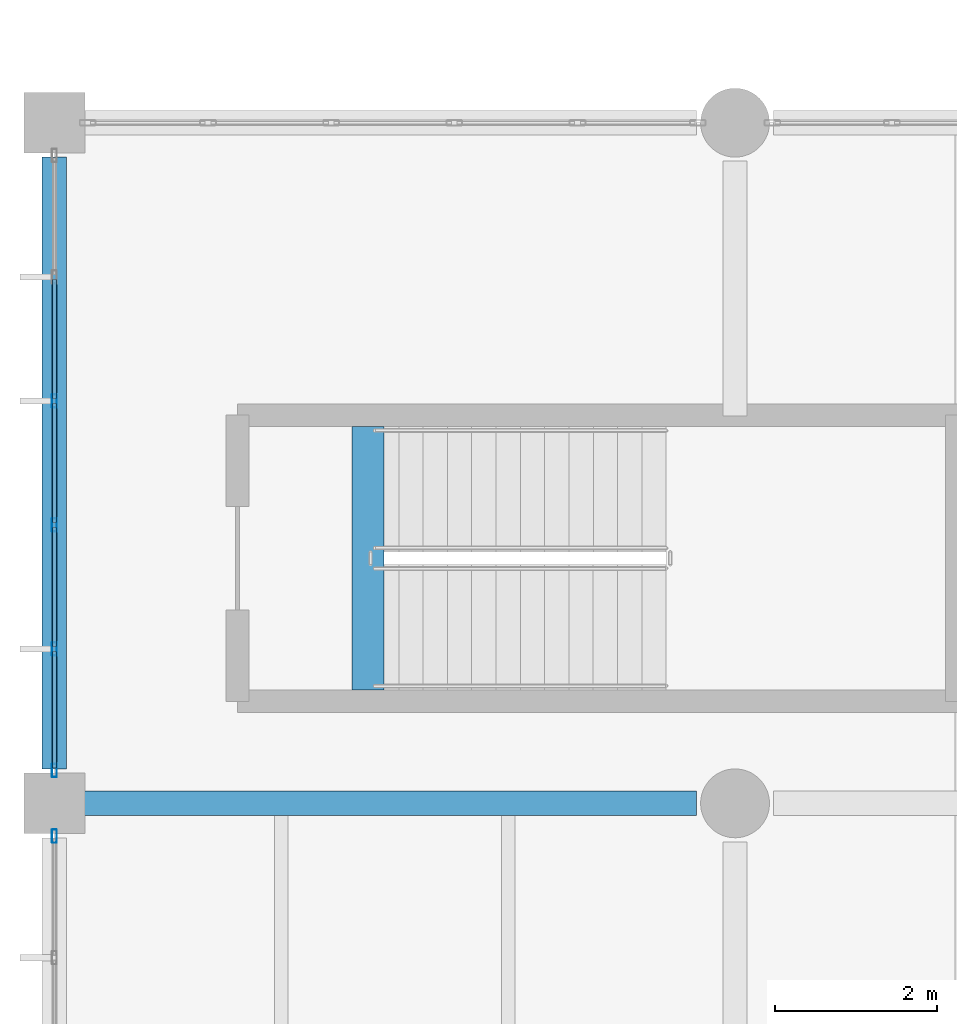
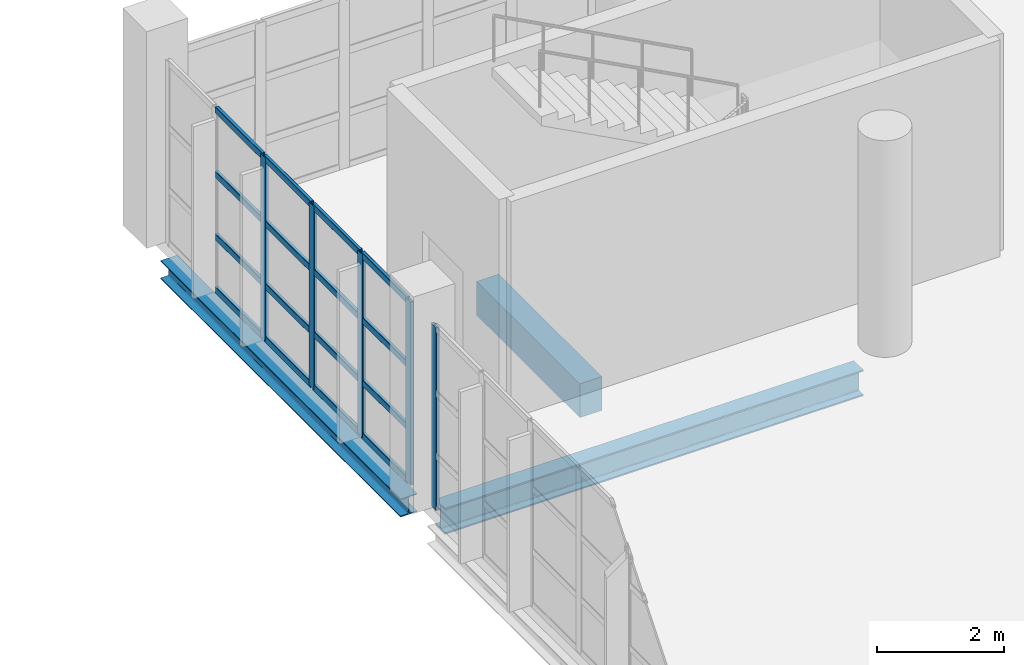
# One storey, part 70 of 177: 21 members, 3 beams, 2 elements without a shape of their own.
"""IFC4 building model written with IfcOpenShell, lengths in metres."""

from ifc_helpers import new_model, si_unit, direction, frame, origin, origin_2d, place, context, subcontext, project, spatial, rectangle, hollow_rectangle, i_section, extrude, material, layer, layer_set, material_profile, profile_set, type_object, element, aggregate, save


model = new_model("IFC4")

# Units and contexts
model_context = context("Model", 3, precision=1e-05, world=origin(), true_north=direction((0.0, 1.0)))
body_context = subcontext(model_context, "Body", "Model", "MODEL_VIEW")
ifc_project = project(units=[si_unit("LENGTHUNIT", "METRE"), si_unit("AREAUNIT", "SQUARE_METRE"), si_unit("VOLUMEUNIT", "CUBIC_METRE"), si_unit("PLANEANGLEUNIT", "RADIAN"), si_unit("MASSUNIT", "GRAM", prefix="KILO"), si_unit("THERMODYNAMICTEMPERATUREUNIT", "KELVIN"), si_unit("POWERUNIT", "WATT")], contexts=[model_context])

# Site, building, storey
site_placement = place(None, origin())
site = spatial("IfcSite", under=ifc_project, at=site_placement, CompositionType="ELEMENT")
building_placement = place(site_placement, origin())
building = spatial("IfcBuilding", under=site, at=building_placement, Name="Mavoryth Pier Ferry Terminal", CompositionType="ELEMENT")
storey_placement = place(building_placement, frame((0.0, 0.0, 5.43994140625)))
storey = spatial("IfcBuildingStorey", under=building, at=storey_placement, Name="L01", CompositionType="ELEMENT", Elevation=5.43994140625)

# Beams
ifc_material_1 = material(Name="Steel S355J2", Category="steel")
ifc_material_profile_1 = material_profile(ifc_material_1, i_section(OverallWidth=0.300048828125, OverallDepth=0.5, WebThickness=0.014404296875, FlangeThickness=0.028076171875, FilletRadius=0.027099609375, at=origin_2d()), Name="HEB 500", Category="steel")
ifc_profile_set_1 = profile_set([ifc_material_profile_1], Name="Steel S355J2 - HEB 500")
beam_type_1 = type_object("IfcBeamType", Name="Beam-Steel-HEB500", PredefinedType="BEAM", material=ifc_profile_set_1)
beam_1_placement = place(storey_placement, frame((0.324951171875, 97.60009765625, -0.530029296875), z_axis=(1.0, 0.0, 0.0), x_axis=(0.0, 1.0, 0.0)))
element("IfcBeam", 1, at=beam_1_placement, inside=storey, type_object=beam_type_1, Name="Beam B01-SB01-0070", PredefinedType="BEAM", context=body_context, shape_type="SweptSolid", body=[
    extrude(i_section(OverallWidth=0.300048828125, OverallDepth=0.5, WebThickness=0.014404296875, FlangeThickness=0.028076171875, FilletRadius=0.027099609375, at=origin_2d()), origin(), (0.0, 0.0, 1.0), 7.60009765625),
])
ifc_material_2 = material(Name="Concrete C35/45", Category="concrete")
ifc_material_profile_2 = material_profile(ifc_material_2, rectangle(XDim=0.39990234375, YDim=0.64990234375, at=origin_2d()), Name="RC 400x650", Category="concrete")
ifc_profile_set_2 = profile_set([ifc_material_profile_2], Name="Concrete C35/45 - RC 400x650")
beam_type_2 = type_object("IfcBeamType", Name="Girder-RC-400x650", PredefinedType="BEAM", material=ifc_profile_set_2)
beam_2_placement = place(storey_placement, frame((3.8701171875, 99.0, -0.324951171875), z_axis=(0.0, 1.0, 0.0), x_axis=(-1.0, 0.0, 0.0)))
element("IfcBeam", 2, at=beam_2_placement, inside=storey, type_object=beam_type_2, Name="Beam B01-BG05-1569", PredefinedType="BEAM", context=body_context, shape_type="SweptSolid", body=[
    extrude(rectangle(XDim=0.39990234375, YDim=0.64990234375, at=origin_2d()), origin(), (0.0, 0.0, 1.0), 3.25),
])

# Curtain wall, member
ifc_material_3 = material(Name="Anodised Aluminium and Solar-Control Low-E Glass", Category="aluminium")
ifc_layer = layer(ifc_material_3, 0.179931640625, Name="Anodised Aluminium and Solar-Control Low-E Glass", Category="aluminium")
ifc_layer_set = layer_set([ifc_layer], Name="Anodised Aluminium and Solar-Control Low-E Glass - CW-Concourse-Mod1400")
curtain_wall_type = type_object("IfcCurtainWallType", Name="CW-Concourse-Mod1400", PredefinedType="USERDEFINED", material=ifc_layer_set)
curtain_wall_1_placement = place(storey_placement, origin())
curtain_wall_1 = element("IfcCurtainWall", 3, at=curtain_wall_1_placement, inside=storey, type_object=curtain_wall_type, Name="Curtain Wall CW-0122-027", ObjectType="UNITISED CURTAIN WALL", PredefinedType="USERDEFINED")
ifc_material_4 = material(Name="Anodised Aluminium EN AW-6063", Category="aluminium")
ifc_material_profile_3 = material_profile(ifc_material_4, hollow_rectangle(XDim=0.06005859375, YDim=0.1650390625, WallThickness=0.00390625, InnerFilletRadius=0.00390625, OuterFilletRadius=0.008056640625, at=origin_2d()), Name="AL-MULL 165x60x4", Category="aluminium")
ifc_profile_set_3 = profile_set([ifc_material_profile_3], Name="Anodised Aluminium EN AW-6063 - AL-MULL 165x60x4")
member_type_1 = type_object("IfcMemberType", Name="Mullion-Alum-165x60", PredefinedType="MULLION", material=ifc_profile_set_3)
member_1_placement = place(storey_placement, frame((0.0, 97.195068359375, 0.0), z_axis=(0.0, 0.0, 1.0), x_axis=(1.0, 0.0, 0.0)))
member_1 = element("IfcMember", 4, at=member_1_placement, type_object=member_type_1, Name="CW01 mullion 1", PredefinedType="MULLION", context=body_context, shape_type="SweptSolid", body=[
    extrude(hollow_rectangle(XDim=0.06005859375, YDim=0.1650390625, WallThickness=0.00390625, InnerFilletRadius=0.00390625, OuterFilletRadius=0.008056640625, at=origin_2d()), origin(), (0.0, 0.0, 1.0), 3.51513671875),
])
aggregate(curtain_wall_1, [member_1])

# Curtain wall, members
curtain_wall_2_placement = place(storey_placement, origin())
curtain_wall_2 = element("IfcCurtainWall", 5, at=curtain_wall_2_placement, inside=storey, type_object=curtain_wall_type, Name="Curtain Wall CW-0122-032", ObjectType="UNITISED CURTAIN WALL", PredefinedType="USERDEFINED")
member_2_placement = place(storey_placement, frame((0.0, 102.56494140625, 0.0), z_axis=(0.0, 0.0, 1.0), x_axis=(1.0, 0.0, 0.0)))
member_2 = element("IfcMember", 6, at=member_2_placement, type_object=member_type_1, Name="CW01 mullion 3", PredefinedType="MULLION", context=body_context, shape_type="SweptSolid", body=[
    extrude(hollow_rectangle(XDim=0.06005859375, YDim=0.1650390625, WallThickness=0.00390625, InnerFilletRadius=0.00390625, OuterFilletRadius=0.008056640625, at=origin_2d()), origin(), (0.0, 0.0, 1.0), 3.51513671875),
])
member_3_placement = place(storey_placement, frame((0.0, 101.034912109375, 0.0), z_axis=(0.0, 0.0, 1.0), x_axis=(1.0, 0.0, 0.0)))
member_3 = element("IfcMember", 7, at=member_3_placement, type_object=member_type_1, Name="CW01 mullion 4", PredefinedType="MULLION", context=body_context, shape_type="SweptSolid", body=[
    extrude(hollow_rectangle(XDim=0.06005859375, YDim=0.1650390625, WallThickness=0.00390625, InnerFilletRadius=0.00390625, OuterFilletRadius=0.008056640625, at=origin_2d()), origin(), (0.0, 0.0, 1.0), 3.51513671875),
])
member_4_placement = place(storey_placement, frame((0.0, 99.5048828125, 0.0), z_axis=(0.0, 0.0, 1.0), x_axis=(1.0, 0.0, 0.0)))
member_4 = element("IfcMember", 8, at=member_4_placement, type_object=member_type_1, Name="CW01 mullion 5", PredefinedType="MULLION", context=body_context, shape_type="SweptSolid", body=[
    extrude(hollow_rectangle(XDim=0.06005859375, YDim=0.1650390625, WallThickness=0.00390625, InnerFilletRadius=0.00390625, OuterFilletRadius=0.008056640625, at=origin_2d()), origin(), (0.0, 0.0, 1.0), 3.51513671875),
])
member_5_placement = place(storey_placement, frame((0.0, 98.0048828125, 0.0), z_axis=(0.0, 0.0, 1.0), x_axis=(1.0, 0.0, 0.0)))
member_5 = element("IfcMember", 9, at=member_5_placement, type_object=member_type_1, Name="CW01 mullion 6", PredefinedType="MULLION", context=body_context, shape_type="SweptSolid", body=[
    extrude(hollow_rectangle(XDim=0.06005859375, YDim=0.1650390625, WallThickness=0.00390625, InnerFilletRadius=0.00390625, OuterFilletRadius=0.008056640625, at=origin_2d()), origin(), (0.0, 0.0, 1.0), 3.51513671875),
])

# Beam
ifc_material_profile_4 = material_profile(ifc_material_1, i_section(OverallWidth=0.300048828125, OverallDepth=0.35009765625, WebThickness=0.010009765625, FlangeThickness=0.017578125, FilletRadius=0.027099609375, at=origin_2d()), Name="HEA 360", Category="steel")
ifc_profile_set_4 = profile_set([ifc_material_profile_4], Name="Steel S355J2 - HEA 360")
beam_type_3 = type_object("IfcBeamType", Name="Spandrel-Steel-HEA360", PredefinedType="SPANDREL", material=ifc_profile_set_4)
beam_3_placement = place(storey_placement, frame((0.0, 98.02490234375, -0.454833984375), z_axis=(0.0, 1.0, 0.0), x_axis=(-1.0, 0.0, 0.0)))
element("IfcBeam", 10, at=beam_3_placement, inside=storey, type_object=beam_type_3, Name="Beam B01-SP03-0084", PredefinedType="SPANDREL", context=body_context, shape_type="SweptSolid", body=[
    extrude(i_section(OverallWidth=0.300048828125, OverallDepth=0.35009765625, WebThickness=0.010009765625, FlangeThickness=0.017578125, FilletRadius=0.027099609375, at=origin_2d()), origin(), (0.0, 0.0, 1.0), 7.550048828125),
])

# Member
ifc_material_profile_5 = material_profile(ifc_material_4, hollow_rectangle(XDim=0.06005859375, YDim=0.125, WallThickness=0.00390625, InnerFilletRadius=0.00390625, OuterFilletRadius=0.008056640625, at=origin_2d()), Name="AL-TRAN 125x60x4", Category="aluminium")
ifc_profile_set_5 = profile_set([ifc_material_profile_5], Name="Anodised Aluminium EN AW-6063 - AL-TRAN 125x60x4")
member_type_2 = type_object("IfcMemberType", Name="Transom-Alum-125x60", PredefinedType="USERDEFINED", material=ifc_profile_set_5)
member_6_placement = place(storey_placement, frame((0.0, 104.06494140625, 0.030029296875), z_axis=(0.0, -1.0, 0.0), x_axis=(1.0, 0.0, 0.0)))
member_6 = element("IfcMember", 11, at=member_6_placement, type_object=member_type_2, Name="CW01 transom 2.1", ObjectType="TRANSOM", PredefinedType="USERDEFINED", context=body_context, shape_type="SweptSolid", body=[
    extrude(hollow_rectangle(XDim=0.06005859375, YDim=0.125, WallThickness=0.00390625, InnerFilletRadius=0.00390625, OuterFilletRadius=0.008056640625, at=origin_2d()), origin(), (0.0, 0.0, 1.0), 1.469970703125),
])

member_7_placement = place(storey_placement, frame((0.0, 104.06494140625, 1.050048828125), z_axis=(0.0, -1.0, 0.0), x_axis=(1.0, 0.0, 0.0)))
member_7 = element("IfcMember", 12, at=member_7_placement, type_object=member_type_2, Name="CW01 transom 2.2", ObjectType="TRANSOM", PredefinedType="USERDEFINED", context=body_context, shape_type="SweptSolid", body=[
    extrude(hollow_rectangle(XDim=0.06005859375, YDim=0.125, WallThickness=0.00390625, InnerFilletRadius=0.00390625, OuterFilletRadius=0.008056640625, at=origin_2d()), origin(), (0.0, 0.0, 1.0), 1.469970703125),
])

member_8_placement = place(storey_placement, frame((0.0, 104.06494140625, 2.25), z_axis=(0.0, -1.0, 0.0), x_axis=(1.0, 0.0, 0.0)))
member_8 = element("IfcMember", 13, at=member_8_placement, type_object=member_type_2, Name="CW01 transom 2.3", ObjectType="TRANSOM", PredefinedType="USERDEFINED", context=body_context, shape_type="SweptSolid", body=[
    extrude(hollow_rectangle(XDim=0.06005859375, YDim=0.125, WallThickness=0.00390625, InnerFilletRadius=0.00390625, OuterFilletRadius=0.008056640625, at=origin_2d()), origin(), (0.0, 0.0, 1.0), 1.469970703125),
])

member_9_placement = place(storey_placement, frame((0.0, 104.06494140625, 3.485107421875), z_axis=(0.0, -1.0, 0.0), x_axis=(1.0, 0.0, 0.0)))
member_9 = element("IfcMember", 14, at=member_9_placement, type_object=member_type_2, Name="CW01 transom 2.4", ObjectType="TRANSOM", PredefinedType="USERDEFINED", context=body_context, shape_type="SweptSolid", body=[
    extrude(hollow_rectangle(XDim=0.06005859375, YDim=0.125, WallThickness=0.00390625, InnerFilletRadius=0.00390625, OuterFilletRadius=0.008056640625, at=origin_2d()), origin(), (0.0, 0.0, 1.0), 1.469970703125),
])

member_10_placement = place(storey_placement, frame((0.0, 102.534912109375, 0.030029296875), z_axis=(0.0, -1.0, 0.0), x_axis=(1.0, 0.0, 0.0)))
member_10 = element("IfcMember", 15, at=member_10_placement, type_object=member_type_2, Name="CW01 transom 3.1", ObjectType="TRANSOM", PredefinedType="USERDEFINED", context=body_context, shape_type="SweptSolid", body=[
    extrude(hollow_rectangle(XDim=0.06005859375, YDim=0.125, WallThickness=0.00390625, InnerFilletRadius=0.00390625, OuterFilletRadius=0.008056640625, at=origin_2d()), origin(), (0.0, 0.0, 1.0), 1.469970703125),
])

member_11_placement = place(storey_placement, frame((0.0, 102.534912109375, 1.050048828125), z_axis=(0.0, -1.0, 0.0), x_axis=(1.0, 0.0, 0.0)))
member_11 = element("IfcMember", 16, at=member_11_placement, type_object=member_type_2, Name="CW01 transom 3.2", ObjectType="TRANSOM", PredefinedType="USERDEFINED", context=body_context, shape_type="SweptSolid", body=[
    extrude(hollow_rectangle(XDim=0.06005859375, YDim=0.125, WallThickness=0.00390625, InnerFilletRadius=0.00390625, OuterFilletRadius=0.008056640625, at=origin_2d()), origin(), (0.0, 0.0, 1.0), 1.469970703125),
])

member_12_placement = place(storey_placement, frame((0.0, 102.534912109375, 2.25), z_axis=(0.0, -1.0, 0.0), x_axis=(1.0, 0.0, 0.0)))
member_12 = element("IfcMember", 17, at=member_12_placement, type_object=member_type_2, Name="CW01 transom 3.3", ObjectType="TRANSOM", PredefinedType="USERDEFINED", context=body_context, shape_type="SweptSolid", body=[
    extrude(hollow_rectangle(XDim=0.06005859375, YDim=0.125, WallThickness=0.00390625, InnerFilletRadius=0.00390625, OuterFilletRadius=0.008056640625, at=origin_2d()), origin(), (0.0, 0.0, 1.0), 1.469970703125),
])

member_13_placement = place(storey_placement, frame((0.0, 102.534912109375, 3.485107421875), z_axis=(0.0, -1.0, 0.0), x_axis=(1.0, 0.0, 0.0)))
member_13 = element("IfcMember", 18, at=member_13_placement, type_object=member_type_2, Name="CW01 transom 3.4", ObjectType="TRANSOM", PredefinedType="USERDEFINED", context=body_context, shape_type="SweptSolid", body=[
    extrude(hollow_rectangle(XDim=0.06005859375, YDim=0.125, WallThickness=0.00390625, InnerFilletRadius=0.00390625, OuterFilletRadius=0.008056640625, at=origin_2d()), origin(), (0.0, 0.0, 1.0), 1.469970703125),
])

member_14_placement = place(storey_placement, frame((0.0, 101.0048828125, 0.030029296875), z_axis=(0.0, -1.0, 0.0), x_axis=(1.0, 0.0, 0.0)))
member_14 = element("IfcMember", 19, at=member_14_placement, type_object=member_type_2, Name="CW01 transom 4.1", ObjectType="TRANSOM", PredefinedType="USERDEFINED", context=body_context, shape_type="SweptSolid", body=[
    extrude(hollow_rectangle(XDim=0.06005859375, YDim=0.125, WallThickness=0.00390625, InnerFilletRadius=0.00390625, OuterFilletRadius=0.008056640625, at=origin_2d()), origin(), (0.0, 0.0, 1.0), 1.469970703125),
])

member_15_placement = place(storey_placement, frame((0.0, 101.0048828125, 1.050048828125), z_axis=(0.0, -1.0, 0.0), x_axis=(1.0, 0.0, 0.0)))
member_15 = element("IfcMember", 20, at=member_15_placement, type_object=member_type_2, Name="CW01 transom 4.2", ObjectType="TRANSOM", PredefinedType="USERDEFINED", context=body_context, shape_type="SweptSolid", body=[
    extrude(hollow_rectangle(XDim=0.06005859375, YDim=0.125, WallThickness=0.00390625, InnerFilletRadius=0.00390625, OuterFilletRadius=0.008056640625, at=origin_2d()), origin(), (0.0, 0.0, 1.0), 1.469970703125),
])

member_16_placement = place(storey_placement, frame((0.0, 101.0048828125, 2.25), z_axis=(0.0, -1.0, 0.0), x_axis=(1.0, 0.0, 0.0)))
member_16 = element("IfcMember", 21, at=member_16_placement, type_object=member_type_2, Name="CW01 transom 4.3", ObjectType="TRANSOM", PredefinedType="USERDEFINED", context=body_context, shape_type="SweptSolid", body=[
    extrude(hollow_rectangle(XDim=0.06005859375, YDim=0.125, WallThickness=0.00390625, InnerFilletRadius=0.00390625, OuterFilletRadius=0.008056640625, at=origin_2d()), origin(), (0.0, 0.0, 1.0), 1.469970703125),
])

member_17_placement = place(storey_placement, frame((0.0, 101.0048828125, 3.485107421875), z_axis=(0.0, -1.0, 0.0), x_axis=(1.0, 0.0, 0.0)))
member_17 = element("IfcMember", 22, at=member_17_placement, type_object=member_type_2, Name="CW01 transom 4.4", ObjectType="TRANSOM", PredefinedType="USERDEFINED", context=body_context, shape_type="SweptSolid", body=[
    extrude(hollow_rectangle(XDim=0.06005859375, YDim=0.125, WallThickness=0.00390625, InnerFilletRadius=0.00390625, OuterFilletRadius=0.008056640625, at=origin_2d()), origin(), (0.0, 0.0, 1.0), 1.469970703125),
])

member_18_placement = place(storey_placement, frame((0.0, 99.47509765625, 0.030029296875), z_axis=(0.0, -1.0, 0.0), x_axis=(1.0, 0.0, 0.0)))
member_18 = element("IfcMember", 23, at=member_18_placement, type_object=member_type_2, Name="CW01 transom 5.1", ObjectType="TRANSOM", PredefinedType="USERDEFINED", context=body_context, shape_type="SweptSolid", body=[
    extrude(hollow_rectangle(XDim=0.06005859375, YDim=0.125, WallThickness=0.00390625, InnerFilletRadius=0.00390625, OuterFilletRadius=0.008056640625, at=origin_2d()), origin(), (0.0, 0.0, 1.0), 1.440185546875),
])

member_19_placement = place(storey_placement, frame((0.0, 99.47509765625, 1.050048828125), z_axis=(0.0, -1.0, 0.0), x_axis=(1.0, 0.0, 0.0)))
member_19 = element("IfcMember", 24, at=member_19_placement, type_object=member_type_2, Name="CW01 transom 5.2", ObjectType="TRANSOM", PredefinedType="USERDEFINED", context=body_context, shape_type="SweptSolid", body=[
    extrude(hollow_rectangle(XDim=0.06005859375, YDim=0.125, WallThickness=0.00390625, InnerFilletRadius=0.00390625, OuterFilletRadius=0.008056640625, at=origin_2d()), origin(), (0.0, 0.0, 1.0), 1.440185546875),
])

member_20_placement = place(storey_placement, frame((0.0, 99.47509765625, 2.25), z_axis=(0.0, -1.0, 0.0), x_axis=(1.0, 0.0, 0.0)))
member_20 = element("IfcMember", 25, at=member_20_placement, type_object=member_type_2, Name="CW01 transom 5.3", ObjectType="TRANSOM", PredefinedType="USERDEFINED", context=body_context, shape_type="SweptSolid", body=[
    extrude(hollow_rectangle(XDim=0.06005859375, YDim=0.125, WallThickness=0.00390625, InnerFilletRadius=0.00390625, OuterFilletRadius=0.008056640625, at=origin_2d()), origin(), (0.0, 0.0, 1.0), 1.440185546875),
])

member_21_placement = place(storey_placement, frame((0.0, 99.47509765625, 3.485107421875), z_axis=(0.0, -1.0, 0.0), x_axis=(1.0, 0.0, 0.0)))
member_21 = element("IfcMember", 26, at=member_21_placement, type_object=member_type_2, Name="CW01 transom 5.4", ObjectType="TRANSOM", PredefinedType="USERDEFINED", context=body_context, shape_type="SweptSolid", body=[
    extrude(hollow_rectangle(XDim=0.06005859375, YDim=0.125, WallThickness=0.00390625, InnerFilletRadius=0.00390625, OuterFilletRadius=0.008056640625, at=origin_2d()), origin(), (0.0, 0.0, 1.0), 1.440185546875),
])

aggregate(curtain_wall_2, [member_2, member_3, member_4, member_5, member_6, member_7, member_8, member_9, member_10, member_11, member_12, member_13, member_14, member_15, member_16, member_17, member_18, member_19, member_20, member_21])

save(model, "model.ifc")
